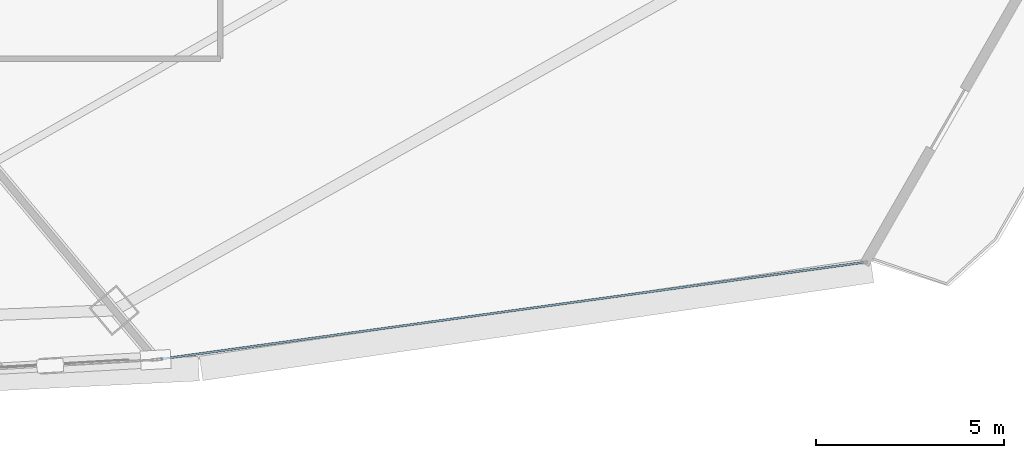
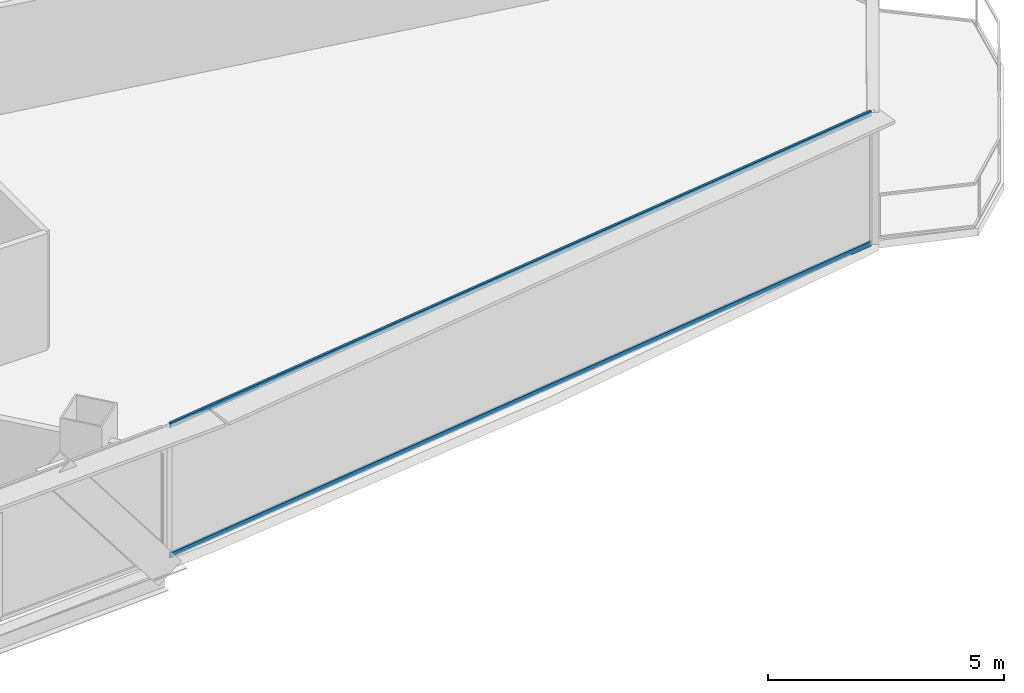
# One storey, part 21 of 39: 2 members, 1 element without a shape of its own.
"""IFC4 building model written with IfcOpenShell, lengths in metres."""

from ifc_helpers import new_model, si_unit, direction, frame, origin, origin_2d, place, context, subcontext, project, spatial, hollow_rectangle, extrude, source, transform, mapped, material, layer, layer_set, material_profile, profile_set, type_object, element, aggregate, save


model = new_model("IFC4")

# Units and contexts
model_context = context("Model", 3, precision=1e-05, world=origin(), true_north=direction((0.0, 1.0)))
body_context = subcontext(model_context, "Body", "Model", "MODEL_VIEW")
ifc_project = project(units=[si_unit("LENGTHUNIT", "METRE"), si_unit("AREAUNIT", "SQUARE_METRE"), si_unit("VOLUMEUNIT", "CUBIC_METRE"), si_unit("PLANEANGLEUNIT", "RADIAN"), si_unit("MASSUNIT", "GRAM", prefix="KILO"), si_unit("THERMODYNAMICTEMPERATUREUNIT", "KELVIN"), si_unit("POWERUNIT", "WATT")], contexts=[model_context])

# Site, building, storey
site_placement = place(None, origin())
site = spatial("IfcSite", under=ifc_project, at=site_placement, CompositionType="ELEMENT")
building_placement = place(site_placement, origin())
building = spatial("IfcBuilding", under=site, at=building_placement, Name="Yunzhuo Pagoda Commons", CompositionType="ELEMENT")
storey_placement = place(building_placement, frame((0.0, 0.0, 144.550048828125)))
storey = spatial("IfcBuildingStorey", under=building, at=storey_placement, Name="L36", CompositionType="ELEMENT", Elevation=144.550048828125)

# Curtain wall, members
ifc_material = material(Name="Anodized aluminium 6063-T6", Category="aluminium")
ifc_layer = layer(ifc_material, 0.14990234375)
ifc_layer_set = layer_set([ifc_layer], Name="Anodized aluminium 6063-T6")
curtain_wall_type = type_object("IfcCurtainWallType", Name="CW-MID Mid-Zone Ribbon Curtain Wall", PredefinedType="NOTDEFINED", material=ifc_layer_set)
curtain_wall_placement = place(storey_placement, origin())
curtain_wall = element("IfcCurtainWall", 1, at=curtain_wall_placement, inside=storey, type_object=curtain_wall_type, Name="L36 curtain wall CW-L36-F1B5", PredefinedType="NOTDEFINED")
ifc_material_profile = material_profile(ifc_material, hollow_rectangle(XDim=0.054931640625, YDim=0.1298828125, WallThickness=0.00341796875, at=origin_2d()), Name="Anodized aluminium 6063-T6")
ifc_profile_set = profile_set([ifc_material_profile], Name="Anodized aluminium 6063-T6")
member_type = type_object("IfcMemberType", Name="CW-MID-T Transom RHS 130x55x3.5", PredefinedType="USERDEFINED", material=ifc_profile_set)
shared_shape = source(origin(), body_context, "Body", "SweptSolid", [
    extrude(hollow_rectangle(XDim=0.054931640625, YDim=0.1298828125, WallThickness=0.00341796875, at=origin_2d()), origin(), (0.0, 0.0, 1.0), 18.81201171875),
])
member_1_placement = place(storey_placement, frame((64.8193359375, 13.833251953125, 0.02734375), z_axis=(0.990679190111, 0.136215793065, 0.0), x_axis=(-0.136215793065, 0.990679190111, 0.0)))
member_1 = element("IfcMember", 2, at=member_1_placement, type_object=member_type, Name="CW transom 1.1", ObjectType="TRANSOM", PredefinedType="USERDEFINED", context=body_context, shape_type="MappedRepresentation", body=[
    mapped(shared_shape, transform((0.0, 0.0, 0.0), scale=1.0)),
])
member_2_placement = place(storey_placement, frame((64.8193359375, 13.833251953125, 3.392333984375), z_axis=(0.990679190111, 0.136215793065, 0.0), x_axis=(-0.136215793065, 0.990679190111, 0.0)))
member_2 = element("IfcMember", 3, at=member_2_placement, type_object=member_type, Name="CW transom 1.2", ObjectType="TRANSOM", PredefinedType="USERDEFINED", context=body_context, shape_type="MappedRepresentation", body=[
    mapped(shared_shape, transform((0.0, 0.0, 0.0), scale=1.0)),
])
aggregate(curtain_wall, [member_1, member_2])

save(model, "model.ifc")
